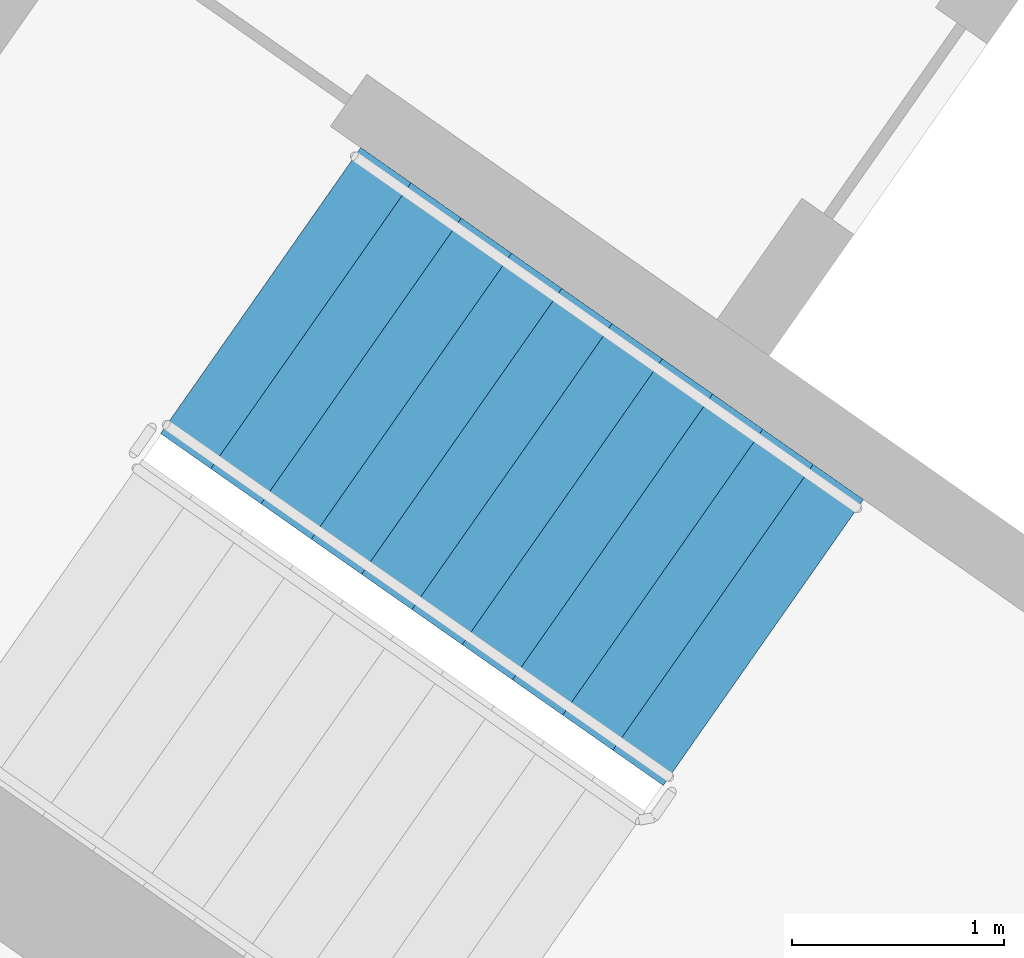
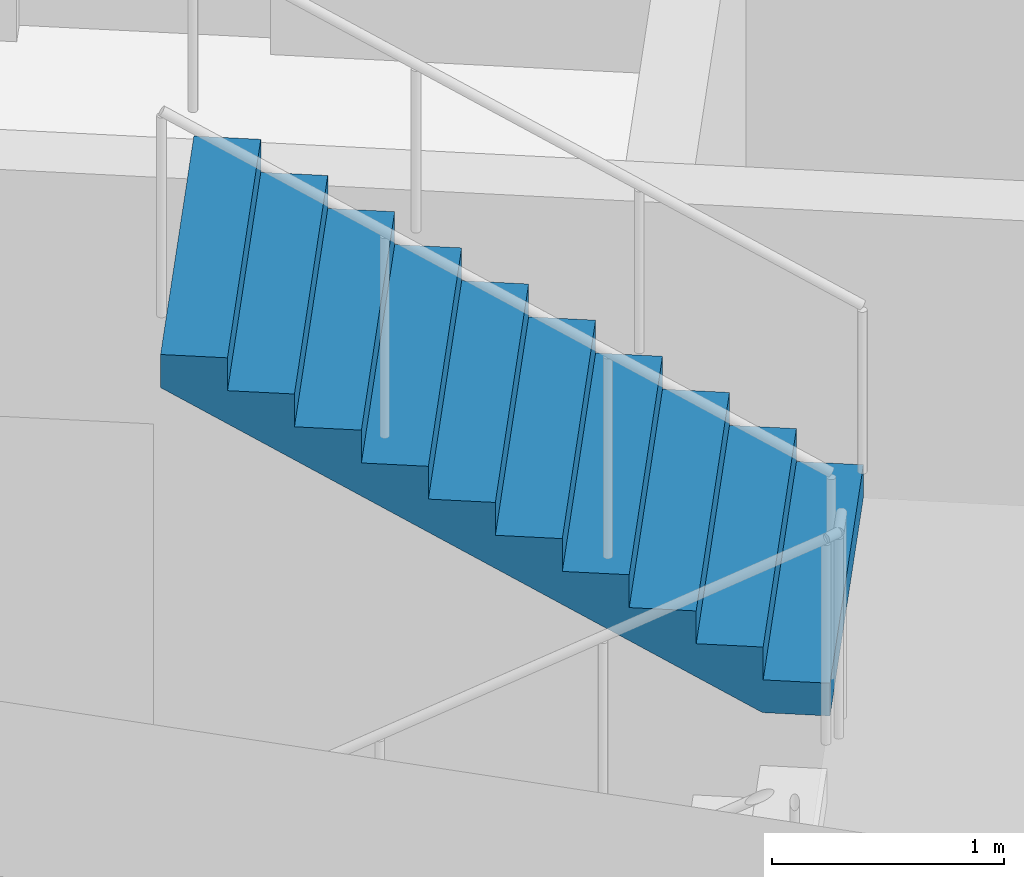
# One storey, part 10 of 27: 1 stair flight, 1 element without a shape of its own.
"""IFC4 building model written with IfcOpenShell, lengths in metres."""

from ifc_helpers import new_model, si_unit, direction, frame, origin, place, context, subcontext, project, spatial, faceted_brep, material, type_object, element, aggregate, save


model = new_model("IFC4")

# Units and contexts
model_context = context("Model", 3, precision=1e-05, world=origin(), true_north=direction((0.0, 1.0)))
body_context = subcontext(model_context, "Body", "Model", "MODEL_VIEW")
ifc_project = project(units=[si_unit("LENGTHUNIT", "METRE"), si_unit("AREAUNIT", "SQUARE_METRE"), si_unit("VOLUMEUNIT", "CUBIC_METRE"), si_unit("PLANEANGLEUNIT", "RADIAN"), si_unit("MASSUNIT", "GRAM", prefix="KILO")], contexts=[model_context])

# Site, building, storey
site_placement = place(None, origin())
site = spatial("IfcSite", under=ifc_project, at=site_placement, CompositionType="ELEMENT")
building_placement = place(site_placement, origin())
building = spatial("IfcBuilding", under=site, at=building_placement, Name="Qamariyya Broadcast Tower", CompositionType="ELEMENT")
storey_placement = place(building_placement, frame((0.0, 0.0, 194.89990234375)))
storey = spatial("IfcBuildingStorey", under=building, at=storey_placement, Name="L46", CompositionType="ELEMENT", Elevation=194.89990234375)

# Stair, stair flight
ifc_material = material(Name="Concrete C50/60", Category="concrete")
stair_type = type_object("IfcStairType", Name="Exit stair 22 risers of 173 mm", PredefinedType="HALF_TURN_STAIR", material=ifc_material)
stair_placement = place(storey_placement, origin())
stair = element("IfcStair", 1, at=stair_placement, inside=storey, type_object=stair_type, Name="L46 Stair W1", PredefinedType="HALF_TURN_STAIR")
stair_flight_type = type_object("IfcStairFlightType", Name="Exit stair flight 11 risers of 173 mm", PredefinedType="STRAIGHT", material=ifc_material)
stair_flight_placement = place(storey_placement, frame((-43.660888671875, -57.17138671875, 1.900146484375), z_axis=(0.0, 0.0, 1.0), x_axis=(-0.819152044289, 0.573576436351, 0.0)))
stair_flight = element("IfcStairFlight", 2, at=stair_flight_placement, type_object=stair_flight_type, Name="ST-W1 flight 2", NumberOfRisers=11, NumberOfTreads=10, PredefinedType="STRAIGHT", RiserHeight=0.172727273, TreadLength=0.29, context=body_context, shape_type="Brep", body=[
    faceted_brep([(0.0, 0.824951171875, 0.0), (0.0, 0.824951171875, 0.172607421875), (0.2900390625, 0.824951171875, 0.172607421875), (0.2900390625, 0.824951171875, 0.345458984375), (0.580078125, 0.824951171875, 0.345458984375), (0.580078125, 0.824951171875, 0.51806640625), (0.8701171875, 0.824951171875, 0.51806640625), (0.8701171875, 0.824951171875, 0.69091796875), (1.159912109375, 0.824951171875, 0.69091796875), (1.159912109375, 0.824951171875, 0.863525390625), (1.449951171875, 0.824951171875, 0.863525390625), (1.449951171875, 0.824951171875, 1.036376953125), (1.739990234375, 0.824951171875, 1.036376953125), (1.739990234375, 0.824951171875, 1.208984375), (2.030029296875, 0.824951171875, 1.208984375), (2.030029296875, 0.824951171875, 1.3818359375), (2.320068359375, 0.824951171875, 1.3818359375), (2.320068359375, 0.824951171875, 1.554443359375), (2.610107421875, 0.824951171875, 1.554443359375), (2.610107421875, 0.824951171875, 1.727294921875), (2.89990234375, 0.824951171875, 1.727294921875), (2.89990234375, 0.824951171875, 1.552734375), (0.29296875, 0.824951171875, 0.0), (0.29296875, -0.824951171875, 0.0), (2.89990234375, -0.824951171875, 1.552734375), (2.89990234375, -0.824951171875, 1.727294921875), (2.610107421875, -0.824951171875, 1.727294921875), (2.610107421875, -0.824951171875, 1.554443359375), (2.320068359375, -0.824951171875, 1.554443359375), (2.320068359375, -0.824951171875, 1.3818359375), (2.030029296875, -0.824951171875, 1.3818359375), (2.030029296875, -0.824951171875, 1.208984375), (1.739990234375, -0.824951171875, 1.208984375), (1.739990234375, -0.824951171875, 1.036376953125), (1.449951171875, -0.824951171875, 1.036376953125), (1.449951171875, -0.824951171875, 0.863525390625), (1.159912109375, -0.824951171875, 0.863525390625), (1.159912109375, -0.824951171875, 0.69091796875), (0.8701171875, -0.824951171875, 0.69091796875), (0.8701171875, -0.824951171875, 0.51806640625), (0.580078125, -0.824951171875, 0.51806640625), (0.580078125, -0.824951171875, 0.345458984375), (0.2900390625, -0.824951171875, 0.345458984375), (0.2900390625, -0.824951171875, 0.172607421875), (0.0, -0.824951171875, 0.172607421875), (0.0, -0.824951171875, 0.0), (0.0, 0.10009765625, 0.0), (0.0, 0.086669921875, 0.0), (0.0, 0.0732421875, 0.0), (0.0, 0.06005859375, 0.0), (0.0, 0.046630859375, 0.0), (0.0, 0.033447265625, 0.0), (0.0, 0.02001953125, 0.0), (0.0, 0.006591796875, 0.0), (0.0, -0.006591796875, 0.0), (0.0, -0.02001953125, 0.0), (0.0, -0.033447265625, 0.0), (0.0, -0.046630859375, 0.0), (0.0, -0.06005859375, 0.0), (0.0, -0.0732421875, 0.0), (0.0, -0.086669921875, 0.0), (0.0, -0.10009765625, 0.0), (0.0, -0.10009765625, 0.172607421875), (0.0, -0.086669921875, 0.172607421875), (0.0, -0.0732421875, 0.172607421875), (0.0, -0.06005859375, 0.172607421875), (0.0, -0.046630859375, 0.172607421875), (0.0, -0.033447265625, 0.172607421875), (0.0, -0.02001953125, 0.172607421875), (0.0, -0.006591796875, 0.172607421875), (0.0, 0.006591796875, 0.172607421875), (0.0, 0.02001953125, 0.172607421875), (0.0, 0.033447265625, 0.172607421875), (0.0, 0.046630859375, 0.172607421875), (0.0, 0.06005859375, 0.172607421875), (0.0, 0.0732421875, 0.172607421875), (0.0, 0.086669921875, 0.172607421875), (0.0, 0.10009765625, 0.172607421875), (0.2900390625, -0.10009765625, 0.172607421875), (0.2900390625, -0.086669921875, 0.172607421875), (0.2900390625, -0.0732421875, 0.172607421875), (0.2900390625, -0.06005859375, 0.172607421875), (0.2900390625, -0.046630859375, 0.172607421875), (0.2900390625, -0.033447265625, 0.172607421875), (0.2900390625, -0.02001953125, 0.172607421875), (0.2900390625, -0.006591796875, 0.172607421875), (0.2900390625, 0.006591796875, 0.172607421875), (0.2900390625, 0.02001953125, 0.172607421875), (0.2900390625, 0.033447265625, 0.172607421875), (0.2900390625, 0.046630859375, 0.172607421875), (0.2900390625, 0.06005859375, 0.172607421875), (0.2900390625, 0.0732421875, 0.172607421875), (0.2900390625, 0.086669921875, 0.172607421875), (0.2900390625, 0.10009765625, 0.172607421875), (0.2900390625, -0.10009765625, 0.345458984375), (0.2900390625, -0.086669921875, 0.345458984375), (0.2900390625, -0.0732421875, 0.345458984375), (0.2900390625, -0.06005859375, 0.345458984375), (0.2900390625, -0.046630859375, 0.345458984375), (0.2900390625, -0.033447265625, 0.345458984375), (0.2900390625, -0.02001953125, 0.345458984375), (0.2900390625, -0.006591796875, 0.345458984375), (0.2900390625, 0.006591796875, 0.345458984375), (0.2900390625, 0.02001953125, 0.345458984375), (0.2900390625, 0.033447265625, 0.345458984375), (0.2900390625, 0.046630859375, 0.345458984375), (0.2900390625, 0.06005859375, 0.345458984375), (0.2900390625, 0.0732421875, 0.345458984375), (0.2900390625, 0.086669921875, 0.345458984375), (0.2900390625, 0.10009765625, 0.345458984375), (0.580078125, -0.10009765625, 0.345458984375), (0.580078125, -0.086669921875, 0.345458984375), (0.580078125, -0.0732421875, 0.345458984375), (0.580078125, -0.06005859375, 0.345458984375), (0.580078125, -0.046630859375, 0.345458984375), (0.580078125, -0.033447265625, 0.345458984375), (0.580078125, -0.02001953125, 0.345458984375), (0.580078125, -0.006591796875, 0.345458984375), (0.580078125, 0.006591796875, 0.345458984375), (0.580078125, 0.02001953125, 0.345458984375), (0.580078125, 0.033447265625, 0.345458984375), (0.580078125, 0.046630859375, 0.345458984375), (0.580078125, 0.06005859375, 0.345458984375), (0.580078125, 0.0732421875, 0.345458984375), (0.580078125, 0.086669921875, 0.345458984375), (0.580078125, 0.10009765625, 0.345458984375), (0.580078125, -0.10009765625, 0.51806640625), (0.580078125, -0.086669921875, 0.51806640625), (0.580078125, -0.0732421875, 0.51806640625), (0.580078125, -0.06005859375, 0.51806640625), (0.580078125, -0.046630859375, 0.51806640625), (0.580078125, -0.033447265625, 0.51806640625), (0.580078125, -0.02001953125, 0.51806640625), (0.580078125, -0.006591796875, 0.51806640625), (0.580078125, 0.006591796875, 0.51806640625), (0.580078125, 0.02001953125, 0.51806640625), (0.580078125, 0.033447265625, 0.51806640625), (0.580078125, 0.046630859375, 0.51806640625), (0.580078125, 0.06005859375, 0.51806640625), (0.580078125, 0.0732421875, 0.51806640625), (0.580078125, 0.086669921875, 0.51806640625), (0.580078125, 0.10009765625, 0.51806640625), (0.8701171875, -0.10009765625, 0.51806640625), (0.8701171875, -0.086669921875, 0.51806640625), (0.8701171875, -0.0732421875, 0.51806640625), (0.8701171875, -0.06005859375, 0.51806640625), (0.8701171875, -0.046630859375, 0.51806640625), (0.8701171875, -0.033447265625, 0.51806640625), (0.8701171875, -0.02001953125, 0.51806640625), (0.8701171875, -0.006591796875, 0.51806640625), (0.8701171875, 0.006591796875, 0.51806640625), (0.8701171875, 0.02001953125, 0.51806640625), (0.8701171875, 0.033447265625, 0.51806640625), (0.8701171875, 0.046630859375, 0.51806640625), (0.8701171875, 0.06005859375, 0.51806640625), (0.8701171875, 0.0732421875, 0.51806640625), (0.8701171875, 0.086669921875, 0.51806640625), (0.8701171875, 0.10009765625, 0.51806640625), (0.8701171875, -0.10009765625, 0.69091796875), (0.8701171875, -0.086669921875, 0.69091796875), (0.8701171875, -0.0732421875, 0.69091796875), (0.8701171875, -0.06005859375, 0.69091796875), (0.8701171875, -0.046630859375, 0.69091796875), (0.8701171875, -0.033447265625, 0.69091796875), (0.8701171875, -0.02001953125, 0.69091796875), (0.8701171875, -0.006591796875, 0.69091796875), (0.8701171875, 0.006591796875, 0.69091796875), (0.8701171875, 0.02001953125, 0.69091796875), (0.8701171875, 0.033447265625, 0.69091796875), (0.8701171875, 0.046630859375, 0.69091796875), (0.8701171875, 0.06005859375, 0.69091796875), (0.8701171875, 0.0732421875, 0.69091796875), (0.8701171875, 0.086669921875, 0.69091796875), (0.8701171875, 0.10009765625, 0.69091796875), (1.159912109375, -0.10009765625, 0.69091796875), (1.159912109375, -0.086669921875, 0.69091796875), (1.159912109375, -0.0732421875, 0.69091796875), (1.159912109375, -0.06005859375, 0.69091796875), (1.159912109375, -0.046630859375, 0.69091796875), (1.159912109375, -0.033447265625, 0.69091796875), (1.159912109375, -0.02001953125, 0.69091796875), (1.159912109375, -0.006591796875, 0.69091796875), (1.159912109375, 0.006591796875, 0.69091796875), (1.159912109375, 0.02001953125, 0.69091796875), (1.159912109375, 0.033447265625, 0.69091796875), (1.159912109375, 0.046630859375, 0.69091796875), (1.159912109375, 0.06005859375, 0.69091796875), (1.159912109375, 0.0732421875, 0.69091796875), (1.159912109375, 0.086669921875, 0.69091796875), (1.159912109375, 0.10009765625, 0.69091796875), (1.159912109375, -0.10009765625, 0.863525390625), (1.159912109375, -0.086669921875, 0.863525390625), (1.159912109375, -0.0732421875, 0.863525390625), (1.159912109375, -0.06005859375, 0.863525390625), (1.159912109375, -0.046630859375, 0.863525390625), (1.159912109375, -0.033447265625, 0.863525390625), (1.159912109375, -0.02001953125, 0.863525390625), (1.159912109375, -0.006591796875, 0.863525390625), (1.159912109375, 0.006591796875, 0.863525390625), (1.159912109375, 0.02001953125, 0.863525390625), (1.159912109375, 0.033447265625, 0.863525390625), (1.159912109375, 0.046630859375, 0.863525390625), (1.159912109375, 0.06005859375, 0.863525390625), (1.159912109375, 0.0732421875, 0.863525390625), (1.159912109375, 0.086669921875, 0.863525390625), (1.159912109375, 0.10009765625, 0.863525390625), (1.449951171875, -0.10009765625, 0.863525390625), (1.449951171875, -0.086669921875, 0.863525390625), (1.449951171875, -0.0732421875, 0.863525390625), (1.449951171875, -0.06005859375, 0.863525390625), (1.449951171875, -0.046630859375, 0.863525390625), (1.449951171875, -0.033447265625, 0.863525390625), (1.449951171875, -0.02001953125, 0.863525390625), (1.449951171875, -0.006591796875, 0.863525390625), (1.449951171875, 0.006591796875, 0.863525390625), (1.449951171875, 0.02001953125, 0.863525390625), (1.449951171875, 0.033447265625, 0.863525390625), (1.449951171875, 0.046630859375, 0.863525390625), (1.449951171875, 0.06005859375, 0.863525390625), (1.449951171875, 0.0732421875, 0.863525390625), (1.449951171875, 0.086669921875, 0.863525390625), (1.449951171875, 0.10009765625, 0.863525390625), (1.449951171875, -0.10009765625, 1.036376953125), (1.449951171875, -0.086669921875, 1.036376953125), (1.449951171875, -0.0732421875, 1.036376953125), (1.449951171875, -0.06005859375, 1.036376953125), (1.449951171875, -0.046630859375, 1.036376953125), (1.449951171875, -0.033447265625, 1.036376953125), (1.449951171875, -0.02001953125, 1.036376953125), (1.449951171875, -0.006591796875, 1.036376953125), (1.449951171875, 0.006591796875, 1.036376953125), (1.449951171875, 0.02001953125, 1.036376953125), (1.449951171875, 0.033447265625, 1.036376953125), (1.449951171875, 0.046630859375, 1.036376953125), (1.449951171875, 0.06005859375, 1.036376953125), (1.449951171875, 0.0732421875, 1.036376953125), (1.449951171875, 0.086669921875, 1.036376953125), (1.449951171875, 0.10009765625, 1.036376953125), (1.739990234375, -0.10009765625, 1.036376953125), (1.739990234375, -0.086669921875, 1.036376953125), (1.739990234375, -0.0732421875, 1.036376953125), (1.739990234375, -0.06005859375, 1.036376953125), (1.739990234375, -0.046630859375, 1.036376953125), (1.739990234375, -0.033447265625, 1.036376953125), (1.739990234375, -0.02001953125, 1.036376953125), (1.739990234375, -0.006591796875, 1.036376953125), (1.739990234375, 0.006591796875, 1.036376953125), (1.739990234375, 0.02001953125, 1.036376953125), (1.739990234375, 0.033447265625, 1.036376953125), (1.739990234375, 0.046630859375, 1.036376953125), (1.739990234375, 0.06005859375, 1.036376953125), (1.739990234375, 0.0732421875, 1.036376953125), (1.739990234375, 0.086669921875, 1.036376953125), (1.739990234375, 0.10009765625, 1.036376953125), (1.739990234375, -0.10009765625, 1.208984375), (1.739990234375, -0.086669921875, 1.208984375), (1.739990234375, -0.0732421875, 1.208984375), (1.739990234375, -0.06005859375, 1.208984375), (1.739990234375, -0.046630859375, 1.208984375), (1.739990234375, -0.033447265625, 1.208984375), (1.739990234375, -0.02001953125, 1.208984375), (1.739990234375, -0.006591796875, 1.208984375), (1.739990234375, 0.006591796875, 1.208984375), (1.739990234375, 0.02001953125, 1.208984375), (1.739990234375, 0.033447265625, 1.208984375), (1.739990234375, 0.046630859375, 1.208984375), (1.739990234375, 0.06005859375, 1.208984375), (1.739990234375, 0.0732421875, 1.208984375), (1.739990234375, 0.086669921875, 1.208984375), (1.739990234375, 0.10009765625, 1.208984375), (2.030029296875, -0.10009765625, 1.208984375), (2.030029296875, -0.086669921875, 1.208984375), (2.030029296875, -0.0732421875, 1.208984375), (2.030029296875, -0.06005859375, 1.208984375), (2.030029296875, -0.046630859375, 1.208984375), (2.030029296875, -0.033447265625, 1.208984375), (2.030029296875, -0.02001953125, 1.208984375), (2.030029296875, -0.006591796875, 1.208984375), (2.030029296875, 0.006591796875, 1.208984375), (2.030029296875, 0.02001953125, 1.208984375), (2.030029296875, 0.033447265625, 1.208984375), (2.030029296875, 0.046630859375, 1.208984375), (2.030029296875, 0.06005859375, 1.208984375), (2.030029296875, 0.0732421875, 1.208984375), (2.030029296875, 0.086669921875, 1.208984375), (2.030029296875, 0.10009765625, 1.208984375), (2.030029296875, -0.10009765625, 1.3818359375), (2.030029296875, -0.086669921875, 1.3818359375), (2.030029296875, -0.0732421875, 1.3818359375), (2.030029296875, -0.06005859375, 1.3818359375), (2.030029296875, -0.046630859375, 1.3818359375), (2.030029296875, -0.033447265625, 1.3818359375), (2.030029296875, -0.02001953125, 1.3818359375), (2.030029296875, -0.006591796875, 1.3818359375), (2.030029296875, 0.006591796875, 1.3818359375), (2.030029296875, 0.02001953125, 1.3818359375), (2.030029296875, 0.033447265625, 1.3818359375), (2.030029296875, 0.046630859375, 1.3818359375), (2.030029296875, 0.06005859375, 1.3818359375), (2.030029296875, 0.0732421875, 1.3818359375), (2.030029296875, 0.086669921875, 1.3818359375), (2.030029296875, 0.10009765625, 1.3818359375), (2.320068359375, -0.10009765625, 1.3818359375), (2.320068359375, -0.086669921875, 1.3818359375), (2.320068359375, -0.0732421875, 1.3818359375), (2.320068359375, -0.06005859375, 1.3818359375), (2.320068359375, -0.046630859375, 1.3818359375), (2.320068359375, -0.033447265625, 1.3818359375), (2.320068359375, -0.02001953125, 1.3818359375), (2.320068359375, -0.006591796875, 1.3818359375), (2.320068359375, 0.006591796875, 1.3818359375), (2.320068359375, 0.02001953125, 1.3818359375), (2.320068359375, 0.033447265625, 1.3818359375), (2.320068359375, 0.046630859375, 1.3818359375), (2.320068359375, 0.06005859375, 1.3818359375), (2.320068359375, 0.0732421875, 1.3818359375), (2.320068359375, 0.086669921875, 1.3818359375), (2.320068359375, 0.10009765625, 1.3818359375), (2.320068359375, -0.10009765625, 1.554443359375), (2.320068359375, -0.086669921875, 1.554443359375), (2.320068359375, -0.0732421875, 1.554443359375), (2.320068359375, -0.06005859375, 1.554443359375), (2.320068359375, -0.046630859375, 1.554443359375), (2.320068359375, -0.033447265625, 1.554443359375), (2.320068359375, -0.02001953125, 1.554443359375), (2.320068359375, -0.006591796875, 1.554443359375), (2.320068359375, 0.006591796875, 1.554443359375), (2.320068359375, 0.02001953125, 1.554443359375), (2.320068359375, 0.033447265625, 1.554443359375), (2.320068359375, 0.046630859375, 1.554443359375), (2.320068359375, 0.06005859375, 1.554443359375), (2.320068359375, 0.0732421875, 1.554443359375), (2.320068359375, 0.086669921875, 1.554443359375), (2.320068359375, 0.10009765625, 1.554443359375), (2.610107421875, -0.10009765625, 1.554443359375), (2.610107421875, -0.086669921875, 1.554443359375), (2.610107421875, -0.0732421875, 1.554443359375), (2.610107421875, -0.06005859375, 1.554443359375), (2.610107421875, -0.046630859375, 1.554443359375), (2.610107421875, -0.033447265625, 1.554443359375), (2.610107421875, -0.02001953125, 1.554443359375), (2.610107421875, -0.006591796875, 1.554443359375), (2.610107421875, 0.006591796875, 1.554443359375), (2.610107421875, 0.02001953125, 1.554443359375), (2.610107421875, 0.033447265625, 1.554443359375), (2.610107421875, 0.046630859375, 1.554443359375), (2.610107421875, 0.06005859375, 1.554443359375), (2.610107421875, 0.0732421875, 1.554443359375), (2.610107421875, 0.086669921875, 1.554443359375), (2.610107421875, 0.10009765625, 1.554443359375), (2.610107421875, -0.10009765625, 1.727294921875), (2.610107421875, -0.086669921875, 1.727294921875), (2.610107421875, -0.0732421875, 1.727294921875), (2.610107421875, -0.06005859375, 1.727294921875), (2.610107421875, -0.046630859375, 1.727294921875), (2.610107421875, -0.033447265625, 1.727294921875), (2.610107421875, -0.02001953125, 1.727294921875), (2.610107421875, -0.006591796875, 1.727294921875), (2.610107421875, 0.006591796875, 1.727294921875), (2.610107421875, 0.02001953125, 1.727294921875), (2.610107421875, 0.033447265625, 1.727294921875), (2.610107421875, 0.046630859375, 1.727294921875), (2.610107421875, 0.06005859375, 1.727294921875), (2.610107421875, 0.0732421875, 1.727294921875), (2.610107421875, 0.086669921875, 1.727294921875), (2.610107421875, 0.10009765625, 1.727294921875), (2.89990234375, -0.10009765625, 1.727294921875), (2.89990234375, -0.086669921875, 1.727294921875), (2.89990234375, -0.0732421875, 1.727294921875), (2.89990234375, -0.06005859375, 1.727294921875), (2.89990234375, -0.046630859375, 1.727294921875), (2.89990234375, -0.033447265625, 1.727294921875), (2.89990234375, -0.02001953125, 1.727294921875), (2.89990234375, -0.006591796875, 1.727294921875), (2.89990234375, 0.006591796875, 1.727294921875), (2.89990234375, 0.02001953125, 1.727294921875), (2.89990234375, 0.033447265625, 1.727294921875), (2.89990234375, 0.046630859375, 1.727294921875), (2.89990234375, 0.06005859375, 1.727294921875), (2.89990234375, 0.0732421875, 1.727294921875), (2.89990234375, 0.086669921875, 1.727294921875), (2.89990234375, 0.10009765625, 1.727294921875), (2.89990234375, -0.10009765625, 1.552734375), (2.89990234375, -0.086669921875, 1.552734375), (2.89990234375, -0.0732421875, 1.552734375), (2.89990234375, -0.06005859375, 1.552734375), (2.89990234375, -0.046630859375, 1.552734375), (2.89990234375, -0.033447265625, 1.552734375), (2.89990234375, -0.02001953125, 1.552734375), (2.89990234375, -0.006591796875, 1.552734375), (2.89990234375, 0.006591796875, 1.552734375), (2.89990234375, 0.02001953125, 1.552734375), (2.89990234375, 0.033447265625, 1.552734375), (2.89990234375, 0.046630859375, 1.552734375), (2.89990234375, 0.06005859375, 1.552734375), (2.89990234375, 0.0732421875, 1.552734375), (2.89990234375, 0.086669921875, 1.552734375), (2.89990234375, 0.10009765625, 1.552734375), (0.29296875, -0.10009765625, 0.0), (0.29296875, -0.086669921875, 0.0), (0.29296875, -0.0732421875, 0.0), (0.29296875, -0.06005859375, 0.0), (0.29296875, -0.046630859375, 0.0), (0.29296875, -0.033447265625, 0.0), (0.29296875, -0.02001953125, 0.0), (0.29296875, -0.006591796875, 0.0), (0.29296875, 0.006591796875, 0.0), (0.29296875, 0.02001953125, 0.0), (0.29296875, 0.033447265625, 0.0), (0.29296875, 0.046630859375, 0.0), (0.29296875, 0.06005859375, 0.0), (0.29296875, 0.0732421875, 0.0), (0.29296875, 0.086669921875, 0.0), (0.29296875, 0.10009765625, 0.0)], [[[0, 1, 2, 3, 4, 5, 6, 7, 8, 9, 10, 11, 12, 13, 14, 15, 16, 17, 18, 19, 20, 21, 22]], [[23, 24, 25, 26, 27, 28, 29, 30, 31, 32, 33, 34, 35, 36, 37, 38, 39, 40, 41, 42, 43, 44, 45]], [[0, 46, 47, 48, 49, 50, 51, 52, 53, 54, 55, 56, 57, 58, 59, 60, 61, 45, 44, 62, 63, 64, 65, 66, 67, 68, 69, 70, 71, 72, 73, 74, 75, 76, 77, 1]], [[1, 77, 76, 75, 74, 73, 72, 71, 70, 69, 68, 67, 66, 65, 64, 63, 62, 44, 43, 78, 79, 80, 81, 82, 83, 84, 85, 86, 87, 88, 89, 90, 91, 92, 93, 2]], [[2, 93, 92, 91, 90, 89, 88, 87, 86, 85, 84, 83, 82, 81, 80, 79, 78, 43, 42, 94, 95, 96, 97, 98, 99, 100, 101, 102, 103, 104, 105, 106, 107, 108, 109, 3]], [[3, 109, 108, 107, 106, 105, 104, 103, 102, 101, 100, 99, 98, 97, 96, 95, 94, 42, 41, 110, 111, 112, 113, 114, 115, 116, 117, 118, 119, 120, 121, 122, 123, 124, 125, 4]], [[4, 125, 124, 123, 122, 121, 120, 119, 118, 117, 116, 115, 114, 113, 112, 111, 110, 41, 40, 126, 127, 128, 129, 130, 131, 132, 133, 134, 135, 136, 137, 138, 139, 140, 141, 5]], [[5, 141, 140, 139, 138, 137, 136, 135, 134, 133, 132, 131, 130, 129, 128, 127, 126, 40, 39, 142, 143, 144, 145, 146, 147, 148, 149, 150, 151, 152, 153, 154, 155, 156, 157, 6]], [[6, 157, 156, 155, 154, 153, 152, 151, 150, 149, 148, 147, 146, 145, 144, 143, 142, 39, 38, 158, 159, 160, 161, 162, 163, 164, 165, 166, 167, 168, 169, 170, 171, 172, 173, 7]], [[7, 173, 172, 171, 170, 169, 168, 167, 166, 165, 164, 163, 162, 161, 160, 159, 158, 38, 37, 174, 175, 176, 177, 178, 179, 180, 181, 182, 183, 184, 185, 186, 187, 188, 189, 8]], [[8, 189, 188, 187, 186, 185, 184, 183, 182, 181, 180, 179, 178, 177, 176, 175, 174, 37, 36, 190, 191, 192, 193, 194, 195, 196, 197, 198, 199, 200, 201, 202, 203, 204, 205, 9]], [[9, 205, 204, 203, 202, 201, 200, 199, 198, 197, 196, 195, 194, 193, 192, 191, 190, 36, 35, 206, 207, 208, 209, 210, 211, 212, 213, 214, 215, 216, 217, 218, 219, 220, 221, 10]], [[10, 221, 220, 219, 218, 217, 216, 215, 214, 213, 212, 211, 210, 209, 208, 207, 206, 35, 34, 222, 223, 224, 225, 226, 227, 228, 229, 230, 231, 232, 233, 234, 235, 236, 237, 11]], [[11, 237, 236, 235, 234, 233, 232, 231, 230, 229, 228, 227, 226, 225, 224, 223, 222, 34, 33, 238, 239, 240, 241, 242, 243, 244, 245, 246, 247, 248, 249, 250, 251, 252, 253, 12]], [[12, 253, 252, 251, 250, 249, 248, 247, 246, 245, 244, 243, 242, 241, 240, 239, 238, 33, 32, 254, 255, 256, 257, 258, 259, 260, 261, 262, 263, 264, 265, 266, 267, 268, 269, 13]], [[13, 269, 268, 267, 266, 265, 264, 263, 262, 261, 260, 259, 258, 257, 256, 255, 254, 32, 31, 270, 271, 272, 273, 274, 275, 276, 277, 278, 279, 280, 281, 282, 283, 284, 285, 14]], [[14, 285, 284, 283, 282, 281, 280, 279, 278, 277, 276, 275, 274, 273, 272, 271, 270, 31, 30, 286, 287, 288, 289, 290, 291, 292, 293, 294, 295, 296, 297, 298, 299, 300, 301, 15]], [[15, 301, 300, 299, 298, 297, 296, 295, 294, 293, 292, 291, 290, 289, 288, 287, 286, 30, 29, 302, 303, 304, 305, 306, 307, 308, 309, 310, 311, 312, 313, 314, 315, 316, 317, 16]], [[16, 317, 316, 315, 314, 313, 312, 311, 310, 309, 308, 307, 306, 305, 304, 303, 302, 29, 28, 318, 319, 320, 321, 322, 323, 324, 325, 326, 327, 328, 329, 330, 331, 332, 333, 17]], [[17, 333, 332, 331, 330, 329, 328, 327, 326, 325, 324, 323, 322, 321, 320, 319, 318, 28, 27, 334, 335, 336, 337, 338, 339, 340, 341, 342, 343, 344, 345, 346, 347, 348, 349, 18]], [[18, 349, 348, 347, 346, 345, 344, 343, 342, 341, 340, 339, 338, 337, 336, 335, 334, 27, 26, 350, 351, 352, 353, 354, 355, 356, 357, 358, 359, 360, 361, 362, 363, 364, 365, 19]], [[19, 365, 364, 363, 362, 361, 360, 359, 358, 357, 356, 355, 354, 353, 352, 351, 350, 26, 25, 366, 367, 368, 369, 370, 371, 372, 373, 374, 375, 376, 377, 378, 379, 380, 381, 20]], [[20, 381, 380, 379, 378, 377, 376, 375, 374, 373, 372, 371, 370, 369, 368, 367, 366, 25, 24, 382, 383, 384, 385, 386, 387, 388, 389, 390, 391, 392, 393, 394, 395, 396, 397, 21]], [[21, 397, 396, 395, 394, 393, 392, 391, 390, 389, 388, 387, 386, 385, 384, 383, 382, 24, 23, 398, 399, 400, 401, 402, 403, 404, 405, 406, 407, 408, 409, 410, 411, 412, 413, 22]], [[22, 413, 412, 411, 410, 409, 408, 407, 406, 405, 404, 403, 402, 401, 400, 399, 398, 23, 45, 61, 60, 59, 58, 57, 56, 55, 54, 53, 52, 51, 50, 49, 48, 47, 46, 0]]]),
])
aggregate(stair, [stair_flight])

save(model, "model.ifc")
